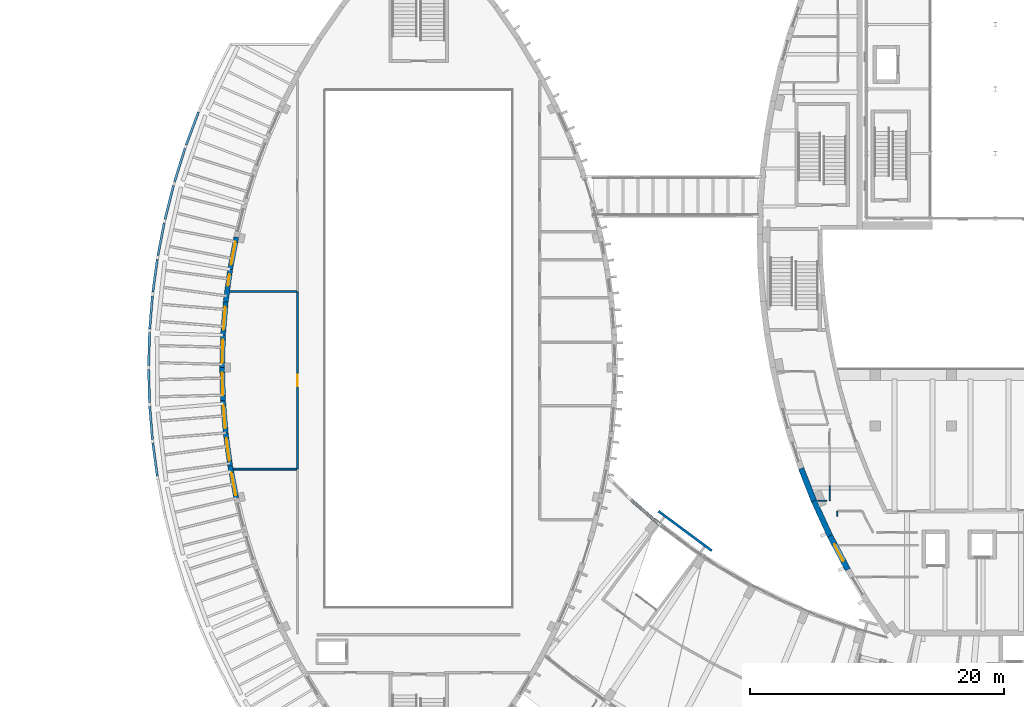
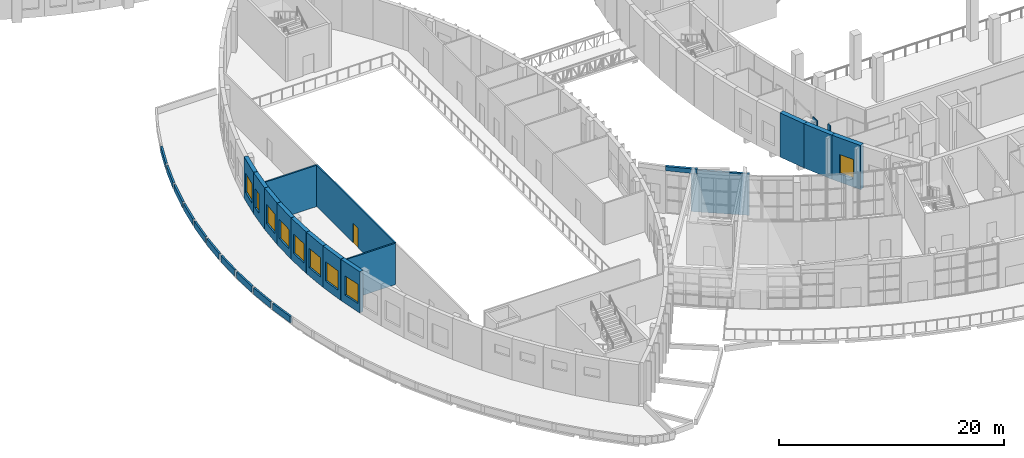
# One storey, part 54 of 93: 30 walls, 9 windows, 1 door, 10 openings.
"""IFC4 building model written with IfcOpenShell, lengths in metres."""

import ifcopenshell
import ifcopenshell.guid

model = None  # the IFC model being written
_history = None  # IfcOwnerHistory: only IFC2X3 demands one
_inside = {}  # id of a spatial element -> (the spatial element, [elements in it])
_under = {}  # id of a project, library or spatial element -> (it, [spatial elements below it])
_declared = {}  # id of a project -> (the project, [libraries it declares])
_typed = {}  # id of a type object -> (the type object, [elements of that type])
_made_of = {}  # id of a material, layer set ... -> (it, [elements and type objects made of it])


def new_model(schema):
    """Start an empty IFC model of exactly this schema.

    Asked for "IFC4X3", IfcOpenShell would pick the latest addendum, in which some entities
    have other attributes; the version numbers below select the first issue.
    IFC2X3 requires an IfcOwnerHistory on every rooted entity: one is made here for all.
    """
    global model, _history
    if schema == "IFC4X3":
        model = ifcopenshell.file(schema_version=(4, 3, 0, 0))
    else:
        model = ifcopenshell.file(schema=schema)
    _inside.clear()
    _under.clear()
    _declared.clear()
    _typed.clear()
    _made_of.clear()
    _history = None
    if model.schema == "IFC2X3":
        org = make("IfcOrganization", Name="unknown")
        user = make(
            "IfcPersonAndOrganization",
            ThePerson=make("IfcPerson", FamilyName="unknown"),
            TheOrganization=org,
        )
        app = make(
            "IfcApplication",
            ApplicationDeveloper=org,
            Version="unknown",
            ApplicationFullName="unknown",
            ApplicationIdentifier="unknown",
        )
        _history = make(
            "IfcOwnerHistory",
            OwningUser=user,
            OwningApplication=app,
            ChangeAction="ADDED",
            CreationDate=0,
        )
    return model


def make(cls, **values):
    """One entity of the class cls with the attributes given. An attribute that is None is left unset."""
    return model.create_entity(
        cls, **{name: value for name, value in values.items() if value is not None}
    )


def rooted(cls, **values):
    """An entity with a GlobalId (a new one), such as an element, a storey or a relation."""
    return make(cls, GlobalId=ifcopenshell.guid.new(), OwnerHistory=_history, **values)


def si_unit(unit_type, name, prefix=None):
    """IfcSIUnit, for example si_unit("LENGTHUNIT", "METRE", prefix="MILLI")."""
    return make("IfcSIUnit", UnitType=unit_type, Prefix=prefix, Name=name)


def assignment(units):
    """IfcUnitAssignment: the units of a project."""
    return None if units is None else make("IfcUnitAssignment", Units=units)


def point(xyz):
    """IfcCartesianPoint."""
    return None if xyz is None else make("IfcCartesianPoint", Coordinates=xyz)


def direction(xyz):
    """IfcDirection."""
    return None if xyz is None else make("IfcDirection", DirectionRatios=xyz)


def frame(location, z_axis=None, x_axis=None):
    """IfcAxis2Placement3D, a coordinate frame: its origin and axes. An axis left out is left unset."""
    return make(
        "IfcAxis2Placement3D",
        Location=point(location),
        Axis=direction(z_axis),
        RefDirection=direction(x_axis),
    )


def frame_2d(location, x_axis=None):
    """IfcAxis2Placement2D, a coordinate frame in the plane: its origin and x axis."""
    return make(
        "IfcAxis2Placement2D", Location=point(location), RefDirection=direction(x_axis)
    )


def origin():
    """The frame at (0, 0, 0) with its axes left unset."""
    return frame((0.0, 0.0, 0.0))


def place(relative_to, where):
    """IfcLocalPlacement: puts the frame where relative to a parent placement (None: the world)."""
    return make(
        "IfcLocalPlacement", PlacementRelTo=relative_to, RelativePlacement=where
    )


def context(
    kind, dimensions, precision=None, world=None, true_north=None, identifier=None
):
    """IfcGeometricRepresentationContext, for example the 3D "Model" context."""
    return make(
        "IfcGeometricRepresentationContext",
        ContextIdentifier=identifier,
        ContextType=kind,
        CoordinateSpaceDimension=dimensions,
        Precision=precision,
        WorldCoordinateSystem=world,
        TrueNorth=true_north,
    )


def subcontext(parent, identifier, kind, view, scale=None):
    """IfcGeometricRepresentationSubContext, for example "Body" below "Model"."""
    return make(
        "IfcGeometricRepresentationSubContext",
        ContextIdentifier=identifier,
        ContextType=kind,
        ParentContext=parent,
        TargetScale=scale,
        TargetView=view,
    )


def project(units=None, contexts=None):
    """IfcProject with its units and contexts."""
    return rooted(
        "IfcProject",
        Name="project",
        RepresentationContexts=contexts,
        UnitsInContext=assignment(units),
    )


def spatial(cls, under=None, at=None, **own):
    """A site, building, storey or space (cls), placed at a placement, below another one or the project."""
    s = rooted(cls, ObjectPlacement=at, **own)
    if under is not None:
        _under.setdefault(under.id(), (under, []))[1].append(s)
    return s


def polyline(points):
    """IfcPolyline through the points."""
    return make("IfcPolyline", Points=[point(p) for p in points])


def profile(cls, at=None, kind="AREA", **sizes):
    """A parametric profile (cls). Its sizes go by their IFC names, for example OverallWidth=200.0."""
    return make(cls, ProfileType=kind, Position=at, **sizes)


def rectangle(**sizes):
    """IfcRectangleProfileDef."""
    return profile("IfcRectangleProfileDef", **sizes)


def outline(outer, holes=None, kind="AREA"):
    """IfcArbitraryClosedProfileDef: a profile drawn as a closed curve; with holes, ...WithVoids."""
    if holes is None:
        return make("IfcArbitraryClosedProfileDef", ProfileType=kind, OuterCurve=outer)
    return make(
        "IfcArbitraryProfileDefWithVoids",
        ProfileType=kind,
        OuterCurve=outer,
        InnerCurves=holes,
    )


def extrude(swept, where, along, depth):
    """IfcExtrudedAreaSolid: the profile swept, set in the frame where, extruded along a direction by depth."""
    return make(
        "IfcExtrudedAreaSolid",
        SweptArea=swept,
        Position=where,
        ExtrudedDirection=direction(along),
        Depth=depth,
    )


def shape(context_of_items, identifier, shape_type, items):
    """IfcShapeRepresentation: the items that make up one representation, for example the "Body"."""
    return make(
        "IfcShapeRepresentation",
        ContextOfItems=context_of_items,
        RepresentationIdentifier=identifier,
        RepresentationType=shape_type,
        Items=items,
    )


def material(Name=None, Category=None):
    """IfcMaterial."""
    return make("IfcMaterial", Name=Name, Category=Category)


def layer(
    of_material, thickness, ventilated=None, Name=None, Category=None, Priority=None
):
    """IfcMaterialLayer: one layer of a wall or slab, of a material (None: an air gap)."""
    return make(
        "IfcMaterialLayer",
        Material=of_material,
        LayerThickness=thickness,
        IsVentilated=ventilated,
        Name=Name,
        Category=Category,
        Priority=Priority,
    )


def layer_set(layers, Name=None):
    """IfcMaterialLayerSet."""
    return make("IfcMaterialLayerSet", MaterialLayers=layers, LayerSetName=Name)


def made_of(thing, what):
    """Note that an element or type object is made of a material, layer set ...; save() writes the relation."""
    if what is not None:
        _made_of.setdefault(what.id(), (what, []))[1].append(thing)
    return thing


def type_object(cls, material=None, **own):
    """A type object (cls), such as IfcWallType, which elements share."""
    return made_of(rooted(cls, **own), material)


def element(
    cls,
    number,
    at=None,
    inside=None,
    cuts=None,
    type_object=None,
    material=None,
    context=None,
    identifier="Body",
    shape_type=None,
    held_by="IfcProductDefinitionShape",
    body=None,
    shapes=None,
    **own,
):
    """One element of the class cls, such as IfcWall. Its Tag is "e" and its number.

    at: its placement. inside: the storey or other place that contains it. cuts: it is an
    opening in that element (IfcRelVoidsElement). A single representation is given by context,
    identifier, shape_type and body (its items); several are given by shapes. held_by: the class
    of the entity that holds the representations. save() writes the other relations.
    """
    e = rooted(cls, Tag="e%d" % number, ObjectPlacement=at, **own)
    if body is not None:
        shapes = [shape(context, identifier, shape_type, body)]
    if shapes is not None:
        e.Representation = make(held_by, Representations=shapes)
    if inside is not None:
        _inside.setdefault(inside.id(), (inside, []))[1].append(e)
    if cuts is not None:
        rooted(
            "IfcRelVoidsElement", RelatingBuildingElement=cuts, RelatedOpeningElement=e
        )
    if type_object is not None:
        _typed.setdefault(type_object.id(), (type_object, []))[1].append(e)
    return made_of(e, material)


def fill(opening, filler):
    """IfcRelFillsElement: the door or window that sits in an opening."""
    return rooted(
        "IfcRelFillsElement",
        RelatingOpeningElement=opening,
        RelatedBuildingElement=filler,
    )


def aggregate(whole, parts):
    """IfcRelAggregates: a whole, such as a stair, and the parts it consists of."""
    return rooted("IfcRelAggregates", RelatingObject=whole, RelatedObjects=parts)


def save(model, path):
    """Write the relations noted so far, then the file.

    IfcRelAggregates (storeys below a building ...), IfcRelContainedInSpatialStructure (elements
    in a storey), IfcRelDefinesByType, IfcRelAssociatesMaterial and IfcRelDeclares: one each for
    every whole, place, type object, material and project.
    """
    for whole, parts in _under.values():
        aggregate(whole, parts)
    for where, things in _inside.values():
        rooted(
            "IfcRelContainedInSpatialStructure",
            RelatedElements=things,
            RelatingStructure=where,
        )
    for kind, things in _typed.values():
        rooted("IfcRelDefinesByType", RelatedObjects=things, RelatingType=kind)
    for what, things in _made_of.values():
        rooted("IfcRelAssociatesMaterial", RelatedObjects=things, RelatingMaterial=what)
    for by, libraries in _declared.values():
        rooted("IfcRelDeclares", RelatingContext=by, RelatedDefinitions=libraries)
    model.write(path)


model = new_model("IFC4")

# Units and contexts
model_context = context("Model", 3, precision=1e-05, world=origin(), true_north=direction((0.0, 1.0)))
body_context = subcontext(model_context, "Body", "Model", "MODEL_VIEW")
ifc_project = project(units=[si_unit("LENGTHUNIT", "METRE"), si_unit("AREAUNIT", "SQUARE_METRE"), si_unit("VOLUMEUNIT", "CUBIC_METRE"), si_unit("PLANEANGLEUNIT", "RADIAN"), si_unit("MASSUNIT", "GRAM", prefix="KILO")], contexts=[model_context])

# Site, building, storey
site_placement = place(None, origin())
site = spatial("IfcSite", under=ifc_project, at=site_placement, CompositionType="ELEMENT")
building_placement = place(site_placement, origin())
building = spatial("IfcBuilding", under=site, at=building_placement, Name="Tide Square Theatres", CompositionType="ELEMENT")
storey_placement = place(building_placement, frame((0.0, 0.0, 5.39990234375)))
storey = spatial("IfcBuildingStorey", under=building, at=storey_placement, Name="L01", CompositionType="ELEMENT", Elevation=5.39990234375)

# Walls
ifc_material_1 = material(Name="Gypsum board on steel studs", Category="steel")
ifc_layer_1 = layer(ifc_material_1, 0.10009765625)
ifc_layer_set_1 = layer_set([ifc_layer_1], Name="Gypsum board on steel studs")
wall_type_1 = type_object("IfcWallType", Name="Partition 100 thick", PredefinedType="PARTITIONING", material=ifc_layer_set_1)
wall_1_placement = place(storey_placement, frame((68.1787109375, 34.0, 0.0), z_axis=(0.0, 0.0, 1.0), x_axis=(-1.0, 0.0, 0.0)))
element("IfcWall", 1, at=wall_1_placement, inside=storey, type_object=wall_type_1, Name="Partition", PredefinedType="PARTITIONING", context=body_context, shape_type="SweptSolid", body=[
    extrude(rectangle(XDim=0.7314453125, YDim=0.10009765625, at=frame_2d((0.36572265625, 0.0))), origin(), (0.0, 0.0, 1.0), 4.550048828125),
])
wall_2_placement = place(storey_placement, frame((68.39990234375, 35.179931640625, 0.0), z_axis=(0.0, 0.0, 1.0), x_axis=(0.0, -1.0, 0.0)))
element("IfcWall", 2, at=wall_2_placement, inside=storey, type_object=wall_type_1, Name="Partition", PredefinedType="PARTITIONING", context=body_context, shape_type="SweptSolid", body=[
    extrude(rectangle(XDim=0.35986328125, YDim=0.10009765625, at=frame_2d((0.179931640625, 0.0))), origin(), (0.0, 0.0, 1.0), 3.920166015625),
])
wall_3_placement = place(storey_placement, frame((68.39990234375, 34.820068359375, 0.0), z_axis=(0.0, 0.0, 1.0), x_axis=(0.0, -1.0, 0.0)))
element("IfcWall", 3, at=wall_3_placement, inside=storey, type_object=wall_type_1, Name="Partition", PredefinedType="PARTITIONING", context=body_context, shape_type="SweptSolid", body=[
    extrude(rectangle(XDim=0.796875, YDim=0.10009765625, at=frame_2d((0.3984375, 0.0))), origin(), (0.0, 0.0, 1.0), 4.550048828125),
])
wall_4_placement = place(storey_placement, frame((69.0, 32.80126953125, 0.0), z_axis=(0.0, 0.0, 1.0), x_axis=(0.0, 1.0, 0.0)))
element("IfcWall", 4, at=wall_4_placement, inside=storey, type_object=wall_type_1, Name="Partition", PredefinedType="PARTITIONING", context=body_context, shape_type="SweptSolid", body=[
    extrude(rectangle(XDim=0.37548828125, YDim=0.10009765625, at=frame_2d((0.187744140625, 0.0))), origin(), (0.0, 0.0, 1.0), 4.550048828125),
])

# Wall, opening, door
ifc_material_2 = material(Name="Gypsum board on steel studs", Category="steel")
ifc_layer_2 = layer(ifc_material_2, 0.14990234375)
ifc_layer_set_2 = layer_set([ifc_layer_2], Name="Gypsum board on steel studs")
wall_type_2 = type_object("IfcWallType", Name="Partition 150 thick", PredefinedType="PARTITIONING", material=ifc_layer_set_2)
wall_5_placement = place(storey_placement, frame((26.449951171875, 36.52001953125, 0.0), z_axis=(0.0, 0.0, 1.0), x_axis=(0.0, 1.0, 0.0)))
wall_5 = element("IfcWall", 5, at=wall_5_placement, inside=storey, type_object=wall_type_2, Name="Studio Theatre partition", PredefinedType="PARTITIONING", context=body_context, shape_type="SweptSolid", body=[
    extrude(rectangle(XDim=13.9599609375, YDim=0.14990234375, at=frame_2d((6.97998046875, 0.0))), origin(), (0.0, 0.0, 1.0), 4.5),
])
opening_1_placement = place(wall_5_placement, frame((6.530029296875, 0.0, 0.0)))
opening_1 = element("IfcOpeningElement", 6, at=opening_1_placement, cuts=wall_5, Name="Opening S01-04", PredefinedType="OPENING", context=body_context, shape_type="SweptSolid", body=[
    extrude(rectangle(XDim=0.89990234375, YDim=2.10009765625, at=frame_2d((0.449951171875, 1.050048828125))), frame((0.0, 0.0849609375, 0.0), z_axis=(0.0, -1.0, 0.0), x_axis=(1.0, 0.0, 0.0)), (0.0, 0.0, 1.0), 0.169921875),
])
ifc_material_3 = material(Name="Hardwood timber", Category="wood")
door_type = type_object("IfcDoorType", Name="Door 900 x 2100 single leaf", OperationType="NOTDEFINED", PredefinedType="DOOR", material=ifc_material_3)
door_placement = place(opening_1_placement, origin())
door = element("IfcDoor", 7, at=door_placement, inside=storey, type_object=door_type, Name="Rehearsal Room 02 door", OperationType="SINGLE_SWING_RIGHT", OverallHeight=2.10009765625, OverallWidth=0.89990234375, PredefinedType="DOOR", context=body_context, shape_type="SweptSolid", body=[
    extrude(rectangle(XDim=0.89990234375, YDim=2.10009765625, at=frame_2d((0.449951171875, 1.050048828125))), frame((0.0, 0.02490234375, 0.0), z_axis=(0.0, -1.0, 0.0), x_axis=(1.0, 0.0, 0.0)), (0.0, 0.0, 1.0), 0.050048828125),
])
fill(opening_1, door)

# Walls
wall_6_placement = place(storey_placement, frame((21.39111328125, 36.5, 0.0), z_axis=(0.0, 0.0, 1.0), x_axis=(1.0, 0.0, 0.0)))
element("IfcWall", 8, at=wall_6_placement, inside=storey, type_object=wall_type_2, Name="Studio Theatre partition", PredefinedType="PARTITIONING", context=body_context, shape_type="SweptSolid", body=[
    extrude(rectangle(XDim=4.998779296875, YDim=0.14990234375, at=frame_2d((2.49951171875, 0.0))), origin(), (0.0, 0.0, 1.0), 4.5),
])
wall_7_placement = place(storey_placement, frame((21.10205078125, 50.5, 0.0), z_axis=(0.0, 0.0, 1.0), x_axis=(1.0, 0.0, 0.0)))
element("IfcWall", 9, at=wall_7_placement, inside=storey, type_object=wall_type_2, Name="Studio Theatre partition", PredefinedType="PARTITIONING", context=body_context, shape_type="SweptSolid", body=[
    extrude(rectangle(XDim=5.287841796875, YDim=0.14990234375, at=frame_2d((2.64404296875, 0.0))), origin(), (0.0, 0.0, 1.0), 4.5),
])

# Wall, opening, window
ifc_material_4 = material(Name="Concrete C40", Category="concrete")
ifc_layer_3 = layer(ifc_material_4, 0.39990234375)
ifc_layer_set_3 = layer_set([ifc_layer_3], Name="Concrete C40")
wall_type_3 = type_object("IfcWallType", Name="RC curved wall 400 thick", PredefinedType="SOLIDWALL", material=ifc_layer_set_3)
wall_8_placement = place(storey_placement, frame((21.626953125, 54.78466796875, 0.0), z_axis=(0.0, 0.0, 1.0), x_axis=(-0.188763210152, -0.982022632373, 0.0)))
wall_8 = element("IfcWall", 10, at=wall_8_placement, inside=storey, type_object=wall_type_3, Name="Studio Theatre perimeter wall", PredefinedType="SOLIDWALL", context=body_context, shape_type="SweptSolid", body=[
    extrude(rectangle(XDim=2.58154296875, YDim=0.39990234375, at=frame_2d((1.290771484375, 0.0))), origin(), (0.0, 0.0, 1.0), 4.5),
])
opening_2_placement = place(wall_8_placement, frame((0.390625, 0.0, 0.89990234375)))
opening_2 = element("IfcOpeningElement", 11, at=opening_2_placement, cuts=wall_8, Name="Opening WN-14", PredefinedType="OPENING", context=body_context, shape_type="SweptSolid", body=[
    extrude(rectangle(XDim=1.800048828125, YDim=2.10009765625, at=frame_2d((0.89990234375, 1.050048828125))), frame((0.0, 0.2099609375, 0.0), z_axis=(0.0, -1.0, 0.0), x_axis=(1.0, 0.0, 0.0)), (0.0, 0.0, 1.0), 0.419921875),
])
ifc_material_5 = material(Name="Aluminium with laminated glass", Category="aluminium")
window_type_1 = type_object("IfcWindowType", Name="Window 1800 x 2100", PartitioningType="DOUBLE_PANEL_VERTICAL", PredefinedType="WINDOW", material=ifc_material_5)
window_1_placement = place(opening_2_placement, origin())
window_1 = element("IfcWindow", 12, at=window_1_placement, inside=storey, type_object=window_type_1, Name="Studio Theatre Learning Studio 01 window", OverallHeight=2.10009765625, OverallWidth=1.800048828125, PartitioningType="SINGLE_PANEL", PredefinedType="WINDOW", context=body_context, shape_type="SweptSolid", body=[
    extrude(rectangle(XDim=1.800048828125, YDim=2.10009765625, at=frame_2d((0.89990234375, 1.050048828125))), frame((0.0, 0.030029296875, 0.0), z_axis=(0.0, -1.0, 0.0), x_axis=(1.0, 0.0, 0.0)), (0.0, 0.0, 1.0), 0.06005859375),
])
fill(opening_2, window_1)

wall_9_placement = place(storey_placement, frame((21.137939453125, 52.239013671875, 0.0), z_axis=(0.0, 0.0, 1.0), x_axis=(-0.13522291824, -0.990815200924, 0.0)))
wall_9 = element("IfcWall", 13, at=wall_9_placement, inside=storey, type_object=wall_type_3, Name="Studio Theatre perimeter wall", PredefinedType="SOLIDWALL", context=body_context, shape_type="SweptSolid", body=[
    extrude(rectangle(XDim=2.581787109375, YDim=0.39990234375, at=frame_2d((1.291015625, 0.0))), origin(), (0.0, 0.0, 1.0), 4.5),
])
opening_3_placement = place(wall_9_placement, frame((0.388916015625, 0.0, 0.89990234375)))
opening_3 = element("IfcOpeningElement", 14, at=opening_3_placement, cuts=wall_9, Name="Opening WN-10", PredefinedType="OPENING", context=body_context, shape_type="SweptSolid", body=[
    extrude(rectangle(XDim=0.89990234375, YDim=2.10009765625, at=frame_2d((0.449951171875, 1.050048828125))), frame((0.0, 0.2099609375, 0.0), z_axis=(0.0, -1.0, 0.0), x_axis=(1.0, 0.0, 0.0)), (0.0, 0.0, 1.0), 0.419921875),
])
ifc_material_6 = material(Name="Aluminium with laminated glass", Category="aluminium")
window_type_2 = type_object("IfcWindowType", Name="Window 900 x 2100", PartitioningType="SINGLE_PANEL", PredefinedType="WINDOW", material=ifc_material_6)
window_2_placement = place(opening_3_placement, origin())
window_2 = element("IfcWindow", 15, at=window_2_placement, inside=storey, type_object=window_type_2, Name="Studio Theatre Learning Studio 01 window", OverallHeight=2.10009765625, OverallWidth=0.89990234375, PartitioningType="SINGLE_PANEL", PredefinedType="WINDOW", context=body_context, shape_type="SweptSolid", body=[
    extrude(rectangle(XDim=0.89990234375, YDim=2.10009765625, at=frame_2d((0.449951171875, 1.050048828125))), frame((0.0, 0.030029296875, 0.0), z_axis=(0.0, -1.0, 0.0), x_axis=(1.0, 0.0, 0.0)), (0.0, 0.0, 1.0), 0.06005859375),
])
fill(opening_3, window_2)

wall_10_placement = place(storey_placement, frame((20.787841796875, 49.670166015625, 0.0), z_axis=(0.0, 0.0, 1.0), x_axis=(-0.081323667998, -0.996687744995, 0.0)))
wall_10 = element("IfcWall", 16, at=wall_10_placement, inside=storey, type_object=wall_type_3, Name="Studio Theatre perimeter wall", PredefinedType="SOLIDWALL", context=body_context, shape_type="SweptSolid", body=[
    extrude(rectangle(XDim=2.581787109375, YDim=0.39990234375, at=frame_2d((1.291015625, 0.0))), origin(), (0.0, 0.0, 1.0), 4.5),
])
opening_4_placement = place(wall_10_placement, frame((0.390869140625, 0.0, 0.89990234375)))
opening_4 = element("IfcOpeningElement", 17, at=opening_4_placement, cuts=wall_10, Name="Opening WN-14", PredefinedType="OPENING", context=body_context, shape_type="SweptSolid", body=[
    extrude(rectangle(XDim=1.800048828125, YDim=2.10009765625, at=frame_2d((0.89990234375, 1.050048828125))), frame((0.0, 0.2099609375, 0.0), z_axis=(0.0, -1.0, 0.0), x_axis=(1.0, 0.0, 0.0)), (0.0, 0.0, 1.0), 0.419921875),
])
window_3_placement = place(opening_4_placement, origin())
window_3 = element("IfcWindow", 18, at=window_3_placement, inside=storey, type_object=window_type_1, Name="Studio Theatre Rehearsal Room 02 window", OverallHeight=2.10009765625, OverallWidth=1.800048828125, PartitioningType="SINGLE_PANEL", PredefinedType="WINDOW", context=body_context, shape_type="SweptSolid", body=[
    extrude(rectangle(XDim=1.800048828125, YDim=2.10009765625, at=frame_2d((0.89990234375, 1.050048828125))), frame((0.0, 0.030029296875, 0.0), z_axis=(0.0, -1.0, 0.0), x_axis=(1.0, 0.0, 0.0)), (0.0, 0.0, 1.0), 0.06005859375),
])
fill(opening_4, window_3)

wall_11_placement = place(storey_placement, frame((20.577392578125, 47.086181640625, 0.0), z_axis=(0.0, 0.0, 1.0), x_axis=(-0.027139748682, -0.99963164918, 0.0)))
wall_11 = element("IfcWall", 19, at=wall_11_placement, inside=storey, type_object=wall_type_3, Name="Studio Theatre perimeter wall", PredefinedType="SOLIDWALL", context=body_context, shape_type="SweptSolid", body=[
    extrude(rectangle(XDim=2.581787109375, YDim=0.39990234375, at=frame_2d((1.291015625, 0.0))), origin(), (0.0, 0.0, 1.0), 4.5),
])
opening_5_placement = place(wall_11_placement, frame((0.390869140625, 0.0, 0.89990234375)))
opening_5 = element("IfcOpeningElement", 20, at=opening_5_placement, cuts=wall_11, Name="Opening WN-14", PredefinedType="OPENING", context=body_context, shape_type="SweptSolid", body=[
    extrude(rectangle(XDim=1.800048828125, YDim=2.10009765625, at=frame_2d((0.89990234375, 1.050048828125))), frame((0.0, 0.2099609375, 0.0), z_axis=(0.0, -1.0, 0.0), x_axis=(1.0, 0.0, 0.0)), (0.0, 0.0, 1.0), 0.419921875),
])
window_4_placement = place(opening_5_placement, origin())
window_4 = element("IfcWindow", 21, at=window_4_placement, inside=storey, type_object=window_type_1, Name="Studio Theatre Rehearsal Room 02 window", OverallHeight=2.10009765625, OverallWidth=1.800048828125, PartitioningType="SINGLE_PANEL", PredefinedType="WINDOW", context=body_context, shape_type="SweptSolid", body=[
    extrude(rectangle(XDim=1.800048828125, YDim=2.10009765625, at=frame_2d((0.89990234375, 1.050048828125))), frame((0.0, 0.030029296875, 0.0), z_axis=(0.0, -1.0, 0.0), x_axis=(1.0, 0.0, 0.0)), (0.0, 0.0, 1.0), 0.06005859375),
])
fill(opening_5, window_4)

wall_12_placement = place(storey_placement, frame((20.50732421875, 44.49462890625, 0.0), z_axis=(0.0, 0.0, 1.0), x_axis=(0.027139748682, -0.99963164918, 0.0)))
wall_12 = element("IfcWall", 22, at=wall_12_placement, inside=storey, type_object=wall_type_3, Name="Studio Theatre perimeter wall", PredefinedType="SOLIDWALL", context=body_context, shape_type="SweptSolid", body=[
    extrude(rectangle(XDim=2.581787109375, YDim=0.39990234375, at=frame_2d((1.291015625, 0.0))), origin(), (0.0, 0.0, 1.0), 4.5),
])
opening_6_placement = place(wall_12_placement, frame((0.390869140625, 0.0, 0.89990234375)))
opening_6 = element("IfcOpeningElement", 23, at=opening_6_placement, cuts=wall_12, Name="Opening WN-14", PredefinedType="OPENING", context=body_context, shape_type="SweptSolid", body=[
    extrude(rectangle(XDim=1.800048828125, YDim=2.10009765625, at=frame_2d((0.89990234375, 1.050048828125))), frame((0.0, 0.2099609375, 0.0), z_axis=(0.0, -1.0, 0.0), x_axis=(1.0, 0.0, 0.0)), (0.0, 0.0, 1.0), 0.419921875),
])
window_5_placement = place(opening_6_placement, origin())
window_5 = element("IfcWindow", 24, at=window_5_placement, inside=storey, type_object=window_type_1, Name="Studio Theatre Rehearsal Room 02 window", OverallHeight=2.10009765625, OverallWidth=1.800048828125, PartitioningType="SINGLE_PANEL", PredefinedType="WINDOW", context=body_context, shape_type="SweptSolid", body=[
    extrude(rectangle(XDim=1.800048828125, YDim=2.10009765625, at=frame_2d((0.89990234375, 1.050048828125))), frame((0.0, 0.030029296875, 0.0), z_axis=(0.0, -1.0, 0.0), x_axis=(1.0, 0.0, 0.0)), (0.0, 0.0, 1.0), 0.06005859375),
])
fill(opening_6, window_5)

wall_13_placement = place(storey_placement, frame((20.577880859375, 41.903076171875, 0.0), z_axis=(0.0, 0.0, 1.0), x_axis=(0.081323667998, -0.996687744995, 0.0)))
wall_13 = element("IfcWall", 25, at=wall_13_placement, inside=storey, type_object=wall_type_3, Name="Studio Theatre perimeter wall", PredefinedType="SOLIDWALL", context=body_context, shape_type="SweptSolid", body=[
    extrude(rectangle(XDim=2.581787109375, YDim=0.39990234375, at=frame_2d((1.291015625, 0.0))), origin(), (0.0, 0.0, 1.0), 4.5),
])
opening_7_placement = place(wall_13_placement, frame((0.390869140625, 0.0, 0.89990234375)))
opening_7 = element("IfcOpeningElement", 26, at=opening_7_placement, cuts=wall_13, Name="Opening WN-14", PredefinedType="OPENING", context=body_context, shape_type="SweptSolid", body=[
    extrude(rectangle(XDim=1.800048828125, YDim=2.10009765625, at=frame_2d((0.89990234375, 1.050048828125))), frame((0.0, 0.2099609375, 0.0), z_axis=(0.0, -1.0, 0.0), x_axis=(1.0, 0.0, 0.0)), (0.0, 0.0, 1.0), 0.419921875),
])
window_6_placement = place(opening_7_placement, origin())
window_6 = element("IfcWindow", 27, at=window_6_placement, inside=storey, type_object=window_type_1, Name="Studio Theatre Rehearsal Room 02 window", OverallHeight=2.10009765625, OverallWidth=1.800048828125, PartitioningType="SINGLE_PANEL", PredefinedType="WINDOW", context=body_context, shape_type="SweptSolid", body=[
    extrude(rectangle(XDim=1.800048828125, YDim=2.10009765625, at=frame_2d((0.89990234375, 1.050048828125))), frame((0.0, 0.030029296875, 0.0), z_axis=(0.0, -1.0, 0.0), x_axis=(1.0, 0.0, 0.0)), (0.0, 0.0, 1.0), 0.06005859375),
])
fill(opening_7, window_6)

wall_14_placement = place(storey_placement, frame((20.788818359375, 39.319091796875, 0.0), z_axis=(0.0, 0.0, 1.0), x_axis=(0.13522291824, -0.990815200924, 0.0)))
wall_14 = element("IfcWall", 28, at=wall_14_placement, inside=storey, type_object=wall_type_3, Name="Studio Theatre perimeter wall", PredefinedType="SOLIDWALL", context=body_context, shape_type="SweptSolid", body=[
    extrude(rectangle(XDim=2.581787109375, YDim=0.39990234375, at=frame_2d((1.291015625, 0.0))), origin(), (0.0, 0.0, 1.0), 4.5),
])
opening_8_placement = place(wall_14_placement, frame((0.390869140625, 0.0, 0.89990234375)))
opening_8 = element("IfcOpeningElement", 29, at=opening_8_placement, cuts=wall_14, Name="Opening WN-14", PredefinedType="OPENING", context=body_context, shape_type="SweptSolid", body=[
    extrude(rectangle(XDim=1.800048828125, YDim=2.10009765625, at=frame_2d((0.89990234375, 1.050048828125))), frame((0.0, 0.2099609375, 0.0), z_axis=(0.0, -1.0, 0.0), x_axis=(1.0, 0.0, 0.0)), (0.0, 0.0, 1.0), 0.419921875),
])
window_7_placement = place(opening_8_placement, origin())
window_7 = element("IfcWindow", 30, at=window_7_placement, inside=storey, type_object=window_type_1, Name="Studio Theatre Rehearsal Room 02 window", OverallHeight=2.10009765625, OverallWidth=1.800048828125, PartitioningType="SINGLE_PANEL", PredefinedType="WINDOW", context=body_context, shape_type="SweptSolid", body=[
    extrude(rectangle(XDim=1.800048828125, YDim=2.10009765625, at=frame_2d((0.89990234375, 1.050048828125))), frame((0.0, 0.030029296875, 0.0), z_axis=(0.0, -1.0, 0.0), x_axis=(1.0, 0.0, 0.0)), (0.0, 0.0, 1.0), 0.06005859375),
])
fill(opening_8, window_7)

wall_15_placement = place(storey_placement, frame((21.1396484375, 36.75048828125, 0.0), z_axis=(0.0, 0.0, 1.0), x_axis=(0.188763210152, -0.982022632373, 0.0)))
wall_15 = element("IfcWall", 31, at=wall_15_placement, inside=storey, type_object=wall_type_3, Name="Studio Theatre perimeter wall", PredefinedType="SOLIDWALL", context=body_context, shape_type="SweptSolid", body=[
    extrude(rectangle(XDim=2.58154296875, YDim=0.39990234375, at=frame_2d((1.290771484375, 0.0))), origin(), (0.0, 0.0, 1.0), 4.5),
])
opening_9_placement = place(wall_15_placement, frame((0.5625, 0.0, 0.89990234375)))
opening_9 = element("IfcOpeningElement", 32, at=opening_9_placement, cuts=wall_15, Name="Opening WN-14", PredefinedType="OPENING", context=body_context, shape_type="SweptSolid", body=[
    extrude(rectangle(XDim=1.800048828125, YDim=2.10009765625, at=frame_2d((0.89990234375, 1.050048828125))), frame((0.0, 0.2099609375, 0.0), z_axis=(0.0, -1.0, 0.0), x_axis=(1.0, 0.0, 0.0)), (0.0, 0.0, 1.0), 0.419921875),
])
window_8_placement = place(opening_9_placement, origin())
window_8 = element("IfcWindow", 33, at=window_8_placement, inside=storey, type_object=window_type_1, Name="Studio Theatre Rehearsal Room 01 window", OverallHeight=2.10009765625, OverallWidth=1.800048828125, PartitioningType="SINGLE_PANEL", PredefinedType="WINDOW", context=body_context, shape_type="SweptSolid", body=[
    extrude(rectangle(XDim=1.800048828125, YDim=2.10009765625, at=frame_2d((0.89990234375, 1.050048828125))), frame((0.0, 0.030029296875, 0.0), z_axis=(0.0, -1.0, 0.0), x_axis=(1.0, 0.0, 0.0)), (0.0, 0.0, 1.0), 0.06005859375),
])
fill(opening_9, window_8)

# Walls
ifc_material_7 = material(Name="Concrete C40", Category="concrete")
ifc_layer_4 = layer(ifc_material_7, 0.449951171875)
ifc_layer_set_4 = layer_set([ifc_layer_4], Name="Concrete C40")
wall_type_4 = type_object("IfcWallType", Name="RC curved wall 450 thick", PredefinedType="SOLIDWALL", material=ifc_layer_set_4)
wall_16_placement = place(storey_placement, frame((66.153076171875, 36.55322265625, 0.0), z_axis=(0.0, 0.0, 1.0), x_axis=(0.366920100653, -0.930252460215, 0.0)))
element("IfcWall", 34, at=wall_16_placement, inside=storey, type_object=wall_type_4, Name="Main Theatre perimeter wall", PredefinedType="SOLIDWALL", context=body_context, shape_type="SweptSolid", body=[
    extrude(rectangle(XDim=2.751953125, YDim=0.449951171875, at=frame_2d((1.3759765625, 0.0))), origin(), (0.0, 0.0, 1.0), 4.800048828125),
])
wall_17_placement = place(storey_placement, frame((67.162841796875, 33.9931640625, 0.0), z_axis=(0.0, 0.0, 1.0), x_axis=(0.416407051835, -0.909178292296, 0.0)))
element("IfcWall", 35, at=wall_17_placement, inside=storey, type_object=wall_type_4, Name="Main Theatre perimeter wall", PredefinedType="SOLIDWALL", context=body_context, shape_type="SweptSolid", body=[
    extrude(rectangle(XDim=3.021240234375, YDim=0.449951171875, at=frame_2d((1.5107421875, 0.0))), origin(), (0.0, 0.0, 1.0), 4.800048828125),
])

# Wall, opening, window
wall_18_placement = place(storey_placement, frame((68.4208984375, 31.246337890625, 0.0), z_axis=(0.0, 0.0, 1.0), x_axis=(0.466728769487, -0.884400506407, 0.0)))
wall_18 = element("IfcWall", 36, at=wall_18_placement, inside=storey, type_object=wall_type_4, Name="Main Theatre perimeter wall", PredefinedType="SOLIDWALL", context=body_context, shape_type="SweptSolid", body=[
    extrude(rectangle(XDim=3.020751953125, YDim=0.449951171875, at=frame_2d((1.51025390625, 0.0))), origin(), (0.0, 0.0, 1.0), 4.800048828125),
])
opening_10_placement = place(wall_18_placement, frame((0.760498046875, 0.0, 0.89990234375)))
opening_10 = element("IfcOpeningElement", 37, at=opening_10_placement, cuts=wall_18, Name="Opening WN-01", PredefinedType="OPENING", context=body_context, shape_type="SweptSolid", body=[
    extrude(rectangle(XDim=1.5, YDim=2.10009765625, at=frame_2d((0.75, 1.050048828125))), frame((0.0, 0.23486328125, 0.0), z_axis=(0.0, -1.0, 0.0), x_axis=(1.0, 0.0, 0.0)), (0.0, 0.0, 1.0), 0.469970703125),
])
ifc_material_8 = material(Name="Aluminium with laminated glass", Category="aluminium")
window_type_3 = type_object("IfcWindowType", Name="Window 1500 x 2100", PartitioningType="SINGLE_PANEL", PredefinedType="WINDOW", material=ifc_material_8)
window_9_placement = place(opening_10_placement, origin())
window_9 = element("IfcWindow", 38, at=window_9_placement, inside=storey, type_object=window_type_3, Name="Main Theatre window", OverallHeight=2.10009765625, OverallWidth=1.5, PartitioningType="SINGLE_PANEL", PredefinedType="WINDOW", context=body_context, shape_type="SweptSolid", body=[
    extrude(rectangle(XDim=1.5, YDim=2.10009765625, at=frame_2d((0.75, 1.050048828125))), frame((0.0, 0.030029296875, 0.0), z_axis=(0.0, -1.0, 0.0), x_axis=(1.0, 0.0, 0.0)), (0.0, 0.0, 1.0), 0.06005859375),
])
fill(opening_10, window_9)

# Walls
ifc_material_9 = material(Name="Concrete C40", Category="concrete")
ifc_layer_5 = layer(ifc_material_9, 0.179931640625)
ifc_layer_set_5 = layer_set([ifc_layer_5], Name="Concrete C40")
wall_type_5 = type_object("IfcWallType", Name="RC parapet 180 thick", PredefinedType="PARAPET", material=ifc_layer_set_5)
for number, where, z_axis, x_axis, name in (
    (39, (15.392578125, 35.96630859375, 0.0), (0.0, 0.0, 1.0), (-0.135142500232, 0.990826172762, 0.0), "Arcade roof parapet"),
    (40, (15.0078125, 38.84765625, 0.0), (0.0, 0.0, 1.0), (-0.081306874557, 0.996689115095, 0.0), "Arcade roof parapet"),
):
    element("IfcWall", number, at=place(storey_placement, frame(where, z_axis=z_axis, x_axis=x_axis)), inside=storey, type_object=wall_type_5, Name=name, PredefinedType="PARAPET", context=body_context, shape_type="SweptSolid", body=[
        extrude(rectangle(XDim=2.603271484375, YDim=0.179931640625, at=frame_2d((1.3017578125, 0.0))), origin(), (0.0, 0.0, 1.0), 0.7001953125),
    ])
for number, where, z_axis, x_axis, name in (
    (41, (14.77978515625, 41.74560546875, 0.0), (0.0, 0.0, 1.0), (-0.027100736632, 0.999632707585, 0.0), "Arcade roof parapet"),
    (42, (14.709228515625, 44.65185546875, 0.0), (0.0, 0.0, 1.0), (0.027100736632, 0.999632707585, 0.0), "Arcade roof parapet"),
):
    element("IfcWall", number, at=place(storey_placement, frame(where, z_axis=z_axis, x_axis=x_axis)), inside=storey, type_object=wall_type_5, Name=name, PredefinedType="PARAPET", context=body_context, shape_type="SweptSolid", body=[
        extrude(rectangle(XDim=2.603515625, YDim=0.179931640625, at=frame_2d((1.3017578125, 0.0))), origin(), (0.0, 0.0, 1.0), 0.7001953125),
    ])
for number, where, z_axis, x_axis, name in (
    (43, (14.796142578125, 47.5576171875, 0.0), (0.0, 0.0, 1.0), (0.081306874557, 0.996689115095, 0.0), "Arcade roof parapet"),
    (44, (15.040771484375, 50.454345703125, 0.0), (0.0, 0.0, 1.0), (0.135142500232, 0.990826172762, 0.0), "Arcade roof parapet"),
):
    element("IfcWall", number, at=place(storey_placement, frame(where, z_axis=z_axis, x_axis=x_axis)), inside=storey, type_object=wall_type_5, Name=name, PredefinedType="PARAPET", context=body_context, shape_type="SweptSolid", body=[
        extrude(rectangle(XDim=2.603271484375, YDim=0.179931640625, at=frame_2d((1.3017578125, 0.0))), origin(), (0.0, 0.0, 1.0), 0.7001953125),
    ])
wall_19_placement = place(storey_placement, frame((15.44189453125, 53.33349609375, 0.0), z_axis=(0.0, 0.0, 1.0), x_axis=(0.188680437445, 0.982038539226, 0.0)))
element("IfcWall", 45, at=wall_19_placement, inside=storey, type_object=wall_type_5, Name="Arcade roof parapet", PredefinedType="PARAPET", context=body_context, shape_type="SweptSolid", body=[
    extrude(rectangle(XDim=2.603515625, YDim=0.179931640625, at=frame_2d((1.3017578125, 0.0))), origin(), (0.0, 0.0, 1.0), 0.7001953125),
])
wall_20_placement = place(storey_placement, frame((16.00048828125, 56.1943359375, 0.0), z_axis=(0.0, 0.0, 1.0), x_axis=(0.243039246268, 0.970016455929, 0.0)))
element("IfcWall", 46, at=wall_20_placement, inside=storey, type_object=wall_type_5, Name="Arcade roof parapet", PredefinedType="PARAPET", context=body_context, shape_type="SweptSolid", body=[
    extrude(rectangle(XDim=2.7373046875, YDim=0.179931640625, at=frame_2d((1.36865234375, 0.0))), origin(), (0.0, 0.0, 1.0), 0.7001953125),
])
wall_21_placement = place(storey_placement, frame((16.752197265625, 59.156982421875, 0.0), z_axis=(0.0, 0.0, 1.0), x_axis=(0.297919452396, 0.954591011839, 0.0)))
element("IfcWall", 47, at=wall_21_placement, inside=storey, type_object=wall_type_5, Name="Arcade roof parapet", PredefinedType="PARAPET", context=body_context, shape_type="SweptSolid", body=[
    extrude(rectangle(XDim=2.737060546875, YDim=0.179931640625, at=frame_2d((1.36865234375, 0.0))), origin(), (0.0, 0.0, 1.0), 0.7001953125),
])
wall_22_placement = place(storey_placement, frame((17.67138671875, 62.07177734375, 0.0), z_axis=(0.0, 0.0, 1.0), x_axis=(0.351856406336, 0.936053988465, 0.0)))
element("IfcWall", 48, at=wall_22_placement, inside=storey, type_object=wall_type_5, Name="Arcade roof parapet", PredefinedType="PARAPET", context=body_context, shape_type="SweptSolid", body=[
    extrude(rectangle(XDim=2.7373046875, YDim=0.179931640625, at=frame_2d((1.36865234375, 0.0))), origin(), (0.0, 0.0, 1.0), 0.7001953125),
])
ifc_material_10 = material(Name="Concrete C40", Category="concrete")
ifc_layer_6 = layer(ifc_material_10, 0.199951171875)
ifc_layer_set_6 = layer_set([ifc_layer_6], Name="Concrete C40")
wall_type_6 = type_object("IfcWallType", Name="RC shear wall 200 thick", PredefinedType="SHEAR", material=ifc_layer_set_6)
wall_23_placement = place(storey_placement, frame((59.107177734375, 30.062255859375, 0.0), z_axis=(0.0, 0.0, 1.0), x_axis=(-0.803081454983, 0.595869261384, 0.0)))
element("IfcWall", 49, at=wall_23_placement, inside=storey, type_object=wall_type_6, Name="Exit stair F1 wall", PredefinedType="SHEAR", context=body_context, shape_type="SweptSolid", body=[
    extrude(rectangle(XDim=5.22998046875, YDim=0.199951171875, at=frame_2d((2.614990234375, 0.0))), origin(), (0.0, 0.0, 1.0), 4.51904296875),
])
ifc_material_11 = material(Name="Concrete C40", Category="concrete")
ifc_layer_7 = layer(ifc_material_11, 0.25)
ifc_layer_set_7 = layer_set([ifc_layer_7], Name="Concrete C40")
wall_type_7 = type_object("IfcWallType", Name="RC shear wall 250 thick", PredefinedType="SHEAR", material=ifc_layer_set_7)
wall_24_placement = place(storey_placement, frame((54.970703125, 32.155517578125, 4.681396484375), z_axis=(0.0, 0.0, 1.0), x_axis=(-0.757074522807, 0.653328529086, 0.0)))
element("IfcWall", 50, at=wall_24_placement, inside=storey, type_object=wall_type_7, Name="Foyer fascia wall", PredefinedType="SHEAR", context=body_context, shape_type="SweptSolid", body=[
    extrude(outline(polyline([(0.0, 0.0), (2.88037109375, 0.0), (2.880126953125, 0.44970703125), (0.2880859375, 0.510498046875), (0.0, 0.53076171875), (0.0, 0.0)])), frame((0.0, 0.125, 0.0), z_axis=(0.0, -1.0, 0.0), x_axis=(1.0, 0.0, 0.0)), (0.0, 0.0, 1.0), 0.25),
])

save(model, "model.ifc")
